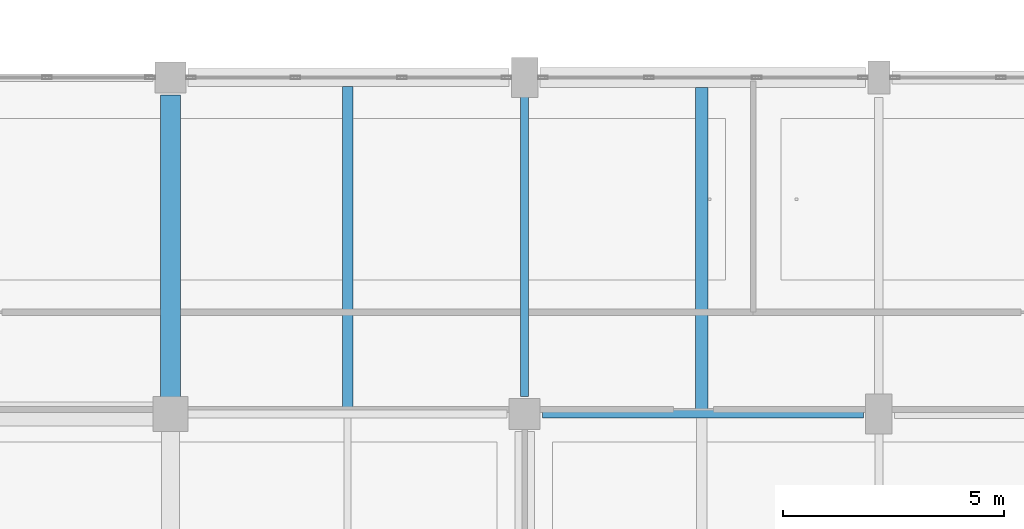
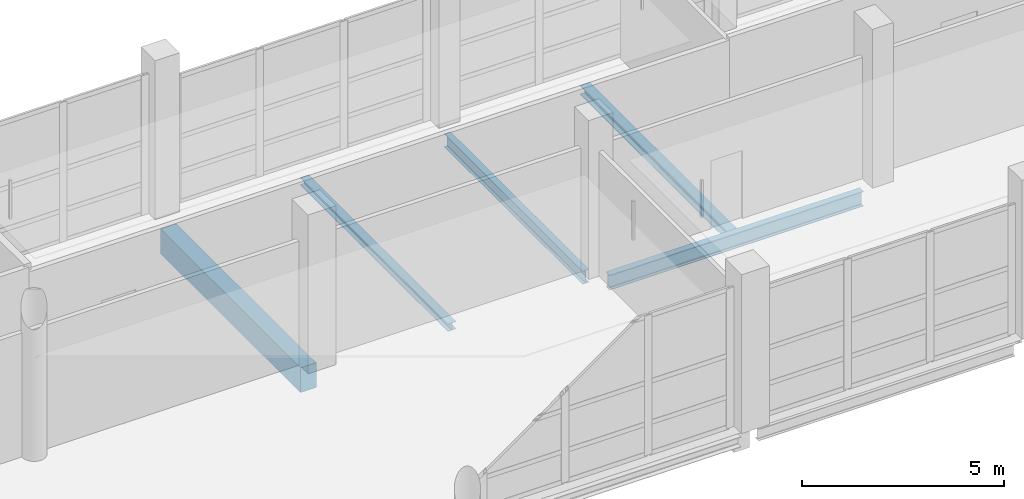
# One storey, part 32 of 141: 5 beams.
"""IFC4 building model written with IfcOpenShell, lengths in metres."""

from ifc_helpers import new_model, si_unit, direction, frame, origin, origin_2d, place, context, subcontext, project, spatial, rectangle, i_section, extrude, material, material_profile, profile_set, type_object, element, save


model = new_model("IFC4")

# Units and contexts
model_context = context("Model", 3, precision=1e-05, world=origin(), true_north=direction((0.0, 1.0)))
body_context = subcontext(model_context, "Body", "Model", "MODEL_VIEW")
ifc_project = project(units=[si_unit("LENGTHUNIT", "METRE"), si_unit("AREAUNIT", "SQUARE_METRE"), si_unit("VOLUMEUNIT", "CUBIC_METRE"), si_unit("PLANEANGLEUNIT", "RADIAN"), si_unit("MASSUNIT", "GRAM", prefix="KILO")], contexts=[model_context])

# Site, building, storey
site_placement = place(None, origin())
site = spatial("IfcSite", under=ifc_project, at=site_placement, CompositionType="ELEMENT")
building_placement = place(site_placement, origin())
building = spatial("IfcBuilding", under=site, at=building_placement, Name="Khelvaren Railside Concert Hall", CompositionType="ELEMENT")
storey_placement = place(building_placement, frame((0.0, 0.0, 10.199951171875)))
storey = spatial("IfcBuildingStorey", under=building, at=storey_placement, Name="L02", CompositionType="ELEMENT", Elevation=10.199951171875)

# Beams
ifc_material_1 = material(Name="Steel S355", Category="steel")
ifc_material_profile_1 = material_profile(ifc_material_1, i_section(OverallWidth=0.179931640625, OverallDepth=0.39990234375, WebThickness=0.008544921875, FlangeThickness=0.013427734375, FilletRadius=0.02099609375, at=origin_2d()), Name="IPE 400")
ifc_profile_set_1 = profile_set([ifc_material_profile_1], Name="Steel S355")
beam_type_1 = type_object("IfcBeamType", Name="BM29", PredefinedType="BEAM", material=ifc_profile_set_1)
beam_1_placement = place(storey_placement, frame((104.0, 8.0, -0.489990234375), z_axis=(0.0, 1.0, 0.0), x_axis=(-1.0, 0.0, 0.0)))
element("IfcBeam", 1, at=beam_1_placement, inside=storey, type_object=beam_type_1, Name="V3 L02 Beam Y6.2", PredefinedType="BEAM", context=body_context, shape_type="SweptSolid", body=[
    extrude(i_section(OverallWidth=0.179931640625, OverallDepth=0.39990234375, WebThickness=0.008544921875, FlangeThickness=0.013427734375, FilletRadius=0.02099609375, at=origin_2d()), origin(), (0.0, 0.0, 1.0), 6.85009765625),
])
ifc_material_2 = material(Name="Concrete C40/50", Category="concrete")
ifc_material_profile_2 = material_profile(ifc_material_2, rectangle(XDim=0.449951171875, YDim=0.75, at=origin_2d()), Name="RCB 450x750")
ifc_profile_set_2 = profile_set([ifc_material_profile_2], Name="Concrete C40/50")
beam_type_2 = type_object("IfcBeamType", Name="BM83", PredefinedType="BEAM", material=ifc_profile_set_2)
beam_2_placement = place(storey_placement, frame((96.0, 7.873046875, -0.6650390625), z_axis=(0.0, 1.0, 0.0), x_axis=(-1.0, 0.0, 0.0)))
element("IfcBeam", 2, at=beam_2_placement, inside=storey, type_object=beam_type_2, Name="V3 L02 Beam Y5.2", PredefinedType="BEAM", context=body_context, shape_type="SweptSolid", body=[
    extrude(rectangle(XDim=0.449951171875, YDim=0.75, at=origin_2d()), origin(), (0.0, 0.0, 1.0), 6.927001953125),
])
ifc_material_profile_3 = material_profile(ifc_material_1, i_section(OverallWidth=0.18994140625, OverallDepth=0.449951171875, WebThickness=0.009521484375, FlangeThickness=0.0146484375, FilletRadius=0.02099609375, at=origin_2d()), Name="IPE 450")
ifc_profile_set_3 = profile_set([ifc_material_profile_3], Name="Steel S355")
beam_type_3 = type_object("IfcBeamType", Name="BM95", PredefinedType="BEAM", material=ifc_profile_set_3)
beam_3_placement = place(storey_placement, frame((104.39990234375, 7.60009765625, -0.514892578125), z_axis=(1.0, 0.0, 0.0), x_axis=(0.0, 1.0, 0.0)))
element("IfcBeam", 3, at=beam_3_placement, inside=storey, type_object=beam_type_3, Name="V3 L02 Beam X2.6", PredefinedType="BEAM", context=body_context, shape_type="SweptSolid", body=[
    extrude(i_section(OverallWidth=0.18994140625, OverallDepth=0.449951171875, WebThickness=0.009521484375, FlangeThickness=0.0146484375, FilletRadius=0.02099609375, at=origin_2d()), origin(), (0.0, 0.0, 1.0), 7.25),
])
ifc_material_profile_4 = material_profile(ifc_material_1, i_section(OverallWidth=0.280029296875, OverallDepth=0.27001953125, WebThickness=0.008056640625, FlangeThickness=0.012939453125, FilletRadius=0.02392578125, at=origin_2d()), Name="HEA 280")
ifc_profile_set_4 = profile_set([ifc_material_profile_4], Name="Steel S355")
beam_type_4 = type_object("IfcBeamType", Name="JS46", PredefinedType="JOIST", material=ifc_profile_set_4)
beam_4_placement = place(storey_placement, frame((108.0, 7.695068359375, -0.425048828125), z_axis=(0.0, 1.0, 0.0), x_axis=(-1.0, 0.0, 0.0)))
element("IfcBeam", 4, at=beam_4_placement, inside=storey, type_object=beam_type_4, Name="V3 L02 Secondary Joist 6.2", PredefinedType="JOIST", context=body_context, shape_type="SweptSolid", body=[
    extrude(i_section(OverallWidth=0.280029296875, OverallDepth=0.27001953125, WebThickness=0.008056640625, FlangeThickness=0.012939453125, FilletRadius=0.02392578125, at=origin_2d()), origin(), (0.0, 0.0, 1.0), 7.280029296875),
])
ifc_material_profile_5 = material_profile(ifc_material_1, i_section(OverallWidth=0.239990234375, OverallDepth=0.22998046875, WebThickness=0.007568359375, FlangeThickness=0.011962890625, FilletRadius=0.02099609375, at=origin_2d()), Name="HEA 240")
ifc_profile_set_5 = profile_set([ifc_material_profile_5], Name="Steel S355")
beam_type_5 = type_object("IfcBeamType", Name="JS76", PredefinedType="JOIST", material=ifc_profile_set_5)
beam_5_placement = place(storey_placement, frame((100.0, 7.68994140625, -0.405029296875), z_axis=(0.0, 1.0, 0.0), x_axis=(-1.0, 0.0, 0.0)))
element("IfcBeam", 5, at=beam_5_placement, inside=storey, type_object=beam_type_5, Name="V3 L02 Secondary Joist 5.2", PredefinedType="JOIST", context=body_context, shape_type="SweptSolid", body=[
    extrude(i_section(OverallWidth=0.239990234375, OverallDepth=0.22998046875, WebThickness=0.007568359375, FlangeThickness=0.011962890625, FilletRadius=0.02099609375, at=origin_2d()), origin(), (0.0, 0.0, 1.0), 7.31005859375),
])

save(model, "model.ifc")
